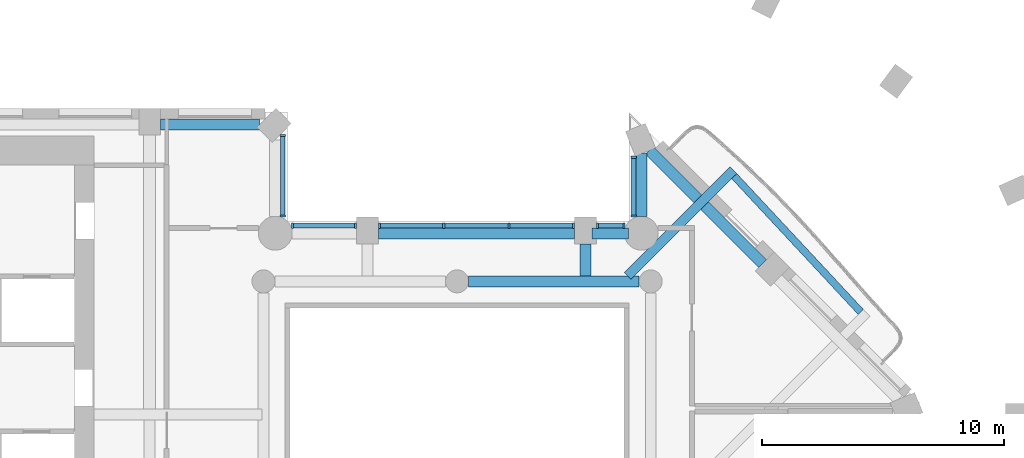
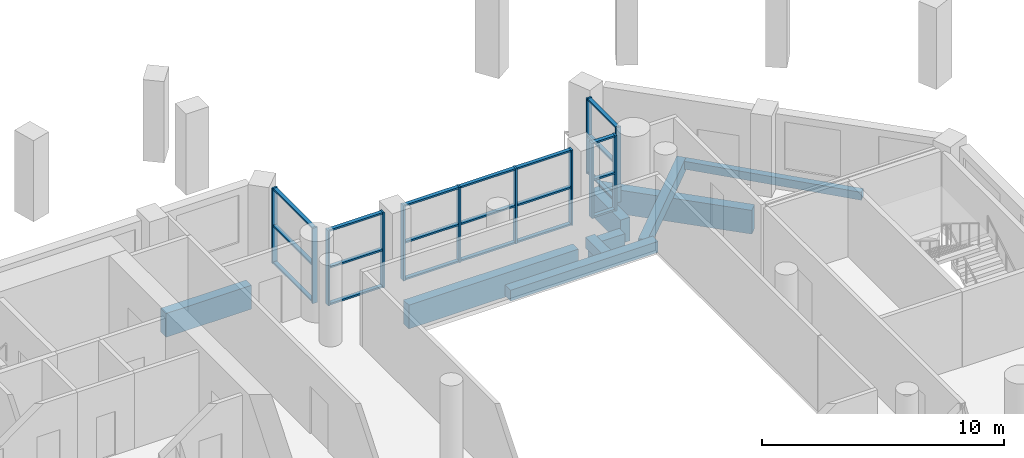
# One storey, part 2 of 13: 33 members, 9 beams, 5 elements without a shape of their own.
"""IFC4 building model written with IfcOpenShell, lengths in metres."""

from ifc_helpers import new_model, si_unit, direction, frame, origin, origin_2d, place, context, subcontext, project, spatial, rectangle, extrude, material, material_profile, profile_set, type_object, element, aggregate, save


model = new_model("IFC4")

# Units and contexts
model_context = context("Model", 3, precision=1e-05, world=origin(), true_north=direction((0.0, 1.0)))
body_context = subcontext(model_context, "Body", "Model", "MODEL_VIEW")
ifc_project = project(units=[si_unit("LENGTHUNIT", "METRE"), si_unit("AREAUNIT", "SQUARE_METRE"), si_unit("VOLUMEUNIT", "CUBIC_METRE"), si_unit("PLANEANGLEUNIT", "RADIAN"), si_unit("MASSUNIT", "GRAM", prefix="KILO")], contexts=[model_context])

# Site, building, storey
site_placement = place(None, origin())
site = spatial("IfcSite", under=ifc_project, at=site_placement, CompositionType="ELEMENT")
building_placement = place(site_placement, origin())
building = spatial("IfcBuilding", under=site, at=building_placement, Name="Cypress Arch Tower", CompositionType="ELEMENT")
storey_placement = place(building_placement, frame((0.0, 0.0, 209.699951171875)))
storey = spatial("IfcBuildingStorey", under=building, at=storey_placement, Name="L46", CompositionType="ELEMENT", Elevation=209.699951171875)

# Beams
ifc_material_1 = material(Name="Concrete C50/60", Category="concrete")
ifc_material_profile_1 = material_profile(ifc_material_1, rectangle(XDim=0.300048828125, YDim=0.39990234375, at=origin_2d()), Name="RC 300x400")
ifc_profile_set_1 = profile_set([ifc_material_profile_1], Name="Concrete C50/60")
beam_type_1 = type_object("IfcBeamType", Name="Balcony edge beam RC 300x400 Concrete C50/60", PredefinedType="BEAM", material=ifc_profile_set_1)
beam_1_placement = place(storey_placement, frame((17.678466796875, 8.737060546875, -0.5), z_axis=(-0.68169731716, 0.731634312876, 0.0), x_axis=(-0.731634312876, -0.68169731716, 0.0)))
element("IfcBeam", 1, at=beam_1_placement, inside=storey, type_object=beam_type_1, Name="Balcony edge beam L46 B05", PredefinedType="BEAM", context=body_context, shape_type="SweptSolid", body=[
    extrude(rectangle(XDim=0.300048828125, YDim=0.39990234375, at=origin_2d()), origin(), (0.0, 0.0, 1.0), 7.666015625),
])
ifc_material_2 = material(Name="Concrete C50/60", Category="concrete")
ifc_material_profile_2 = material_profile(ifc_material_2, rectangle(XDim=0.39990234375, YDim=0.64990234375, at=origin_2d()), Name="RC 400x650")
ifc_profile_set_2 = profile_set([ifc_material_profile_2], Name="Concrete C50/60")
beam_type_2 = type_object("IfcBeamType", Name="Cantilever beam RC 400x650 Concrete C50/60", PredefinedType="BEAM", material=ifc_profile_set_2)
beam_2_placement = place(storey_placement, frame((8.04931640625, 10.22509765625, -0.625), z_axis=(0.707106781187, 0.707106781187, 0.0), x_axis=(-0.707106781187, 0.707106781187, 0.0)))
element("IfcBeam", 2, at=beam_2_placement, inside=storey, type_object=beam_type_2, Name="Cantilever beam L46 B05 2", PredefinedType="BEAM", context=body_context, shape_type="SweptSolid", body=[
    extrude(rectangle(XDim=0.39990234375, YDim=0.64990234375, at=origin_2d()), origin(), (0.0, 0.0, 1.0), 6.17724609375),
])
ifc_material_3 = material(Name="Concrete C50/60", Category="concrete")
ifc_material_profile_3 = material_profile(ifc_material_3, rectangle(XDim=0.449951171875, YDim=0.550048828125, at=origin_2d()), Name="RC 450x550")
ifc_profile_set_3 = profile_set([ifc_material_profile_3], Name="Concrete C50/60")
beam_type_3 = type_object("IfcBeamType", Name="Floor beam RC 450x550 Concrete C50/60", PredefinedType="BEAM", material=ifc_profile_set_3)
beam_3_placement = place(storey_placement, frame((1.47509765625, 10.0, -0.574951171875), z_axis=(1.0, 0.0, 0.0), x_axis=(0.0, 1.0, 0.0)))
element("IfcBeam", 3, at=beam_3_placement, inside=storey, type_object=beam_type_3, Name="Floor beam L46 RB008", PredefinedType="BEAM", context=body_context, shape_type="SweptSolid", body=[
    extrude(rectangle(XDim=0.449951171875, YDim=0.550048828125, at=origin_2d()), origin(), (0.0, 0.0, 1.0), 7.0498046875),
])
beam_4_placement = place(storey_placement, frame((6.300048828125, 10.22509765625, -0.574951171875), z_axis=(0.0, 1.0, 0.0), x_axis=(-1.0, 0.0, 0.0)))
element("IfcBeam", 4, at=beam_4_placement, inside=storey, type_object=beam_type_3, Name="Floor beam L46 FB017", PredefinedType="BEAM", context=body_context, shape_type="SweptSolid", body=[
    extrude(rectangle(XDim=0.449951171875, YDim=0.550048828125, at=origin_2d()), origin(), (0.0, 0.0, 1.0), 1.324951171875),
])

# Curtain wall, members
ifc_material_4 = material(Name="Anodised aluminium, bronze finish, clear laminated double glazing", Category="aluminium")
curtain_wall_type = type_object("IfcCurtainWallType", Name="Curtain wall CW7 slot glazing", PredefinedType="NOTDEFINED", material=ifc_material_4)
curtain_wall_1_placement = place(storey_placement, origin())
curtain_wall_1 = element("IfcCurtainWall", 5, at=curtain_wall_1_placement, inside=storey, type_object=curtain_wall_type, Name="Curtain wall L46 slot B06.0", PredefinedType="NOTDEFINED")
ifc_material_5 = material(Name="Anodised aluminium, bronze finish", Category="aluminium")
ifc_material_profile_4 = material_profile(ifc_material_5, rectangle(XDim=0.239990234375, YDim=0.0849609375, at=origin_2d()), Name="Mullion 85x240")
ifc_profile_set_4 = profile_set([ifc_material_profile_4], Name="Anodised aluminium, bronze finish")
member_type_1 = type_object("IfcMemberType", Name="Mullion CW7 85x240", PredefinedType="MULLION", material=ifc_profile_set_4)
member_1_placement = place(storey_placement, frame((8.300048828125, 15.12744140625, 0.0), z_axis=(0.0, 0.0, 1.0), x_axis=(1.0, 0.0, 0.0)))
member_1 = element("IfcMember", 6, at=member_1_placement, type_object=member_type_1, Name="CW7 mullion 1", PredefinedType="MULLION", context=body_context, shape_type="SweptSolid", body=[
    extrude(rectangle(XDim=0.239990234375, YDim=0.0849609375, at=origin_2d()), origin(), (0.0, 0.0, 1.0), 3.800048828125),
])
member_2_placement = place(storey_placement, frame((8.300048828125, 12.697021484375, 0.0), z_axis=(0.0, 0.0, 1.0), x_axis=(1.0, 0.0, 0.0)))
member_2 = element("IfcMember", 7, at=member_2_placement, type_object=member_type_1, Name="CW7 mullion 2", PredefinedType="MULLION", context=body_context, shape_type="SweptSolid", body=[
    extrude(rectangle(XDim=0.239990234375, YDim=0.0849609375, at=origin_2d()), origin(), (0.0, 0.0, 1.0), 3.800048828125),
])

curtain_wall_2_placement = place(storey_placement, origin())
curtain_wall_2 = element("IfcCurtainWall", 8, at=curtain_wall_2_placement, inside=storey, type_object=curtain_wall_type, Name="Curtain wall L46 slot B07.0", PredefinedType="NOTDEFINED")
member_3_placement = place(storey_placement, frame((7.903076171875, 12.300048828125, 0.0), z_axis=(0.0, 0.0, 1.0), x_axis=(0.0, -1.0, 0.0)))
member_3 = element("IfcMember", 9, at=member_3_placement, type_object=member_type_1, Name="CW7 mullion 1", PredefinedType="MULLION", context=body_context, shape_type="SweptSolid", body=[
    extrude(rectangle(XDim=0.239990234375, YDim=0.0849609375, at=origin_2d()), origin(), (0.0, 0.0, 1.0), 3.800048828125),
])
member_4_placement = place(storey_placement, frame((6.79248046875, 12.300048828125, 0.0), z_axis=(0.0, 0.0, 1.0), x_axis=(0.0, -1.0, 0.0)))
member_4 = element("IfcMember", 10, at=member_4_placement, type_object=member_type_1, Name="CW7 mullion 2", PredefinedType="MULLION", context=body_context, shape_type="SweptSolid", body=[
    extrude(rectangle(XDim=0.239990234375, YDim=0.0849609375, at=origin_2d()), origin(), (0.0, 0.0, 1.0), 3.800048828125),
])

curtain_wall_3_placement = place(storey_placement, origin())
curtain_wall_3 = element("IfcCurtainWall", 11, at=curtain_wall_3_placement, inside=storey, type_object=curtain_wall_type, Name="Curtain wall L46 slot B07.1", PredefinedType="NOTDEFINED")
member_5_placement = place(storey_placement, frame((5.8076171875, 12.300048828125, 0.0), z_axis=(0.0, 0.0, 1.0), x_axis=(0.0, -1.0, 0.0)))
member_5 = element("IfcMember", 12, at=member_5_placement, type_object=member_type_1, Name="CW7 mullion 1", PredefinedType="MULLION", context=body_context, shape_type="SweptSolid", body=[
    extrude(rectangle(XDim=0.239990234375, YDim=0.0849609375, at=origin_2d()), origin(), (0.0, 0.0, 1.0), 3.800048828125),
])
member_6_placement = place(storey_placement, frame((3.14990234375, 12.300048828125, 0.0), z_axis=(0.0, 0.0, 1.0), x_axis=(0.0, -1.0, 0.0)))
member_6 = element("IfcMember", 13, at=member_6_placement, type_object=member_type_1, Name="CW7 mullion 2", PredefinedType="MULLION", context=body_context, shape_type="SweptSolid", body=[
    extrude(rectangle(XDim=0.239990234375, YDim=0.0849609375, at=origin_2d()), origin(), (0.0, 0.0, 1.0), 3.800048828125),
])
member_7_placement = place(storey_placement, frame((0.449951171875, 12.300048828125, 0.0), z_axis=(0.0, 0.0, 1.0), x_axis=(0.0, -1.0, 0.0)))
member_7 = element("IfcMember", 14, at=member_7_placement, type_object=member_type_1, Name="CW7 mullion 3", PredefinedType="MULLION", context=body_context, shape_type="SweptSolid", body=[
    extrude(rectangle(XDim=0.239990234375, YDim=0.0849609375, at=origin_2d()), origin(), (0.0, 0.0, 1.0), 3.800048828125),
])
member_8_placement = place(storey_placement, frame((-2.20751953125, 12.300048828125, 0.0), z_axis=(0.0, 0.0, 1.0), x_axis=(0.0, -1.0, 0.0)))
member_8 = element("IfcMember", 15, at=member_8_placement, type_object=member_type_1, Name="CW7 mullion 4", PredefinedType="MULLION", context=body_context, shape_type="SweptSolid", body=[
    extrude(rectangle(XDim=0.239990234375, YDim=0.0849609375, at=origin_2d()), origin(), (0.0, 0.0, 1.0), 3.800048828125),
])

curtain_wall_4_placement = place(storey_placement, origin())
curtain_wall_4 = element("IfcCurtainWall", 16, at=curtain_wall_4_placement, inside=storey, type_object=curtain_wall_type, Name="Curtain wall L46 slot B07.2", PredefinedType="NOTDEFINED")
member_9_placement = place(storey_placement, frame((-3.1923828125, 12.300048828125, 0.0), z_axis=(0.0, 0.0, 1.0), x_axis=(0.0, -1.0, 0.0)))
member_9 = element("IfcMember", 17, at=member_9_placement, type_object=member_type_1, Name="CW7 mullion 1", PredefinedType="MULLION", context=body_context, shape_type="SweptSolid", body=[
    extrude(rectangle(XDim=0.239990234375, YDim=0.0849609375, at=origin_2d()), origin(), (0.0, 0.0, 1.0), 3.800048828125),
])
member_10_placement = place(storey_placement, frame((-5.802978515625, 12.300048828125, 0.0), z_axis=(0.0, 0.0, 1.0), x_axis=(0.0, -1.0, 0.0)))
member_10 = element("IfcMember", 18, at=member_10_placement, type_object=member_type_1, Name="CW7 mullion 2", PredefinedType="MULLION", context=body_context, shape_type="SweptSolid", body=[
    extrude(rectangle(XDim=0.239990234375, YDim=0.0849609375, at=origin_2d()), origin(), (0.0, 0.0, 1.0), 3.800048828125),
])

curtain_wall_5_placement = place(storey_placement, origin())
curtain_wall_5 = element("IfcCurtainWall", 19, at=curtain_wall_5_placement, inside=storey, type_object=curtain_wall_type, Name="Curtain wall L46 slot B08.0", PredefinedType="NOTDEFINED")
member_11_placement = place(storey_placement, frame((-6.199951171875, 12.697021484375, 0.0), z_axis=(0.0, 0.0, 1.0), x_axis=(-1.0, 0.0, 0.0)))
member_11 = element("IfcMember", 20, at=member_11_placement, type_object=member_type_1, Name="CW7 mullion 1", PredefinedType="MULLION", context=body_context, shape_type="SweptSolid", body=[
    extrude(rectangle(XDim=0.239990234375, YDim=0.0849609375, at=origin_2d()), origin(), (0.0, 0.0, 1.0), 3.800048828125),
])
member_12_placement = place(storey_placement, frame((-6.199951171875, 16.02099609375, 0.0), z_axis=(0.0, 0.0, 1.0), x_axis=(-1.0, 0.0, 0.0)))
member_12 = element("IfcMember", 21, at=member_12_placement, type_object=member_type_1, Name="CW7 mullion 2", PredefinedType="MULLION", context=body_context, shape_type="SweptSolid", body=[
    extrude(rectangle(XDim=0.239990234375, YDim=0.0849609375, at=origin_2d()), origin(), (0.0, 0.0, 1.0), 3.800048828125),
])

# Beams
ifc_material_6 = material(Name="Concrete C50/60", Category="concrete")
ifc_material_profile_5 = material_profile(ifc_material_6, rectangle(XDim=0.449951171875, YDim=1.199951171875, at=origin_2d()), Name="RC 450x1200")
ifc_profile_set_5 = profile_set([ifc_material_profile_5], Name="Concrete C50/60")
beam_type_4 = type_object("IfcBeamType", Name="Spandrel beam RC 450x1200 Concrete C50/60", PredefinedType="SPANDREL", material=ifc_profile_set_5)
beam_5_placement = place(storey_placement, frame((13.622802734375, 10.73486328125, -1.550048828125), z_axis=(-0.707106781187, 0.707106781187, 0.0), x_axis=(-0.707106781187, -0.707106781187, 0.0)))
element("IfcBeam", 22, at=beam_5_placement, inside=storey, type_object=beam_type_4, Name="Spandrel beam L46 BB05-1", PredefinedType="SPANDREL", context=body_context, shape_type="SweptSolid", body=[
    extrude(rectangle(XDim=0.449951171875, YDim=1.199951171875, at=origin_2d()), origin(), (0.0, 0.0, 1.0), 6.610595703125),
])
beam_6_placement = place(storey_placement, frame((8.625, 15.275146484375, -1.550048828125), z_axis=(0.0, -1.0, 0.0), x_axis=(1.0, 0.0, 0.0)))
element("IfcBeam", 23, at=beam_6_placement, inside=storey, type_object=beam_type_4, Name="Spandrel beam L46 BB06-0", PredefinedType="SPANDREL", context=body_context, shape_type="SweptSolid", body=[
    extrude(rectangle(XDim=0.449951171875, YDim=1.199951171875, at=origin_2d()), origin(), (0.0, 0.0, 1.0), 2.587646484375),
])
beam_7_placement = place(storey_placement, frame((8.081298828125, 11.97509765625, -1.550048828125), z_axis=(-1.0, 0.0, 0.0), x_axis=(0.0, -1.0, 0.0)))
element("IfcBeam", 24, at=beam_7_placement, inside=storey, type_object=beam_type_4, Name="Spandrel beam L46 BB07-0", PredefinedType="SPANDREL", context=body_context, shape_type="SweptSolid", body=[
    extrude(rectangle(XDim=0.449951171875, YDim=1.199951171875, at=origin_2d()), origin(), (0.0, 0.0, 1.0), 1.5),
])
beam_8_placement = place(storey_placement, frame((5.85009765625, 11.97509765625, -1.550048828125), z_axis=(-1.0, 0.0, 0.0), x_axis=(0.0, -1.0, 0.0)))
element("IfcBeam", 25, at=beam_8_placement, inside=storey, type_object=beam_type_4, Name="Spandrel beam L46 BB07-1", PredefinedType="SPANDREL", context=body_context, shape_type="SweptSolid", body=[
    extrude(rectangle(XDim=0.449951171875, YDim=1.199951171875, at=origin_2d()), origin(), (0.0, 0.0, 1.0), 8.10009765625),
])
beam_9_placement = place(storey_placement, frame((-7.161376953125, 16.47509765625, -1.550048828125), z_axis=(-1.0, 0.0, 0.0), x_axis=(0.0, -1.0, 0.0)))
element("IfcBeam", 26, at=beam_9_placement, inside=storey, type_object=beam_type_4, Name="Spandrel beam L46 BB09-0", PredefinedType="SPANDREL", context=body_context, shape_type="SweptSolid", body=[
    extrude(rectangle(XDim=0.449951171875, YDim=1.199951171875, at=origin_2d()), origin(), (0.0, 0.0, 1.0), 4.088623046875),
])

# Member
ifc_material_7 = material(Name="Anodised aluminium, bronze finish", Category="aluminium")
ifc_material_profile_6 = material_profile(ifc_material_7, rectangle(XDim=0.179931640625, YDim=0.0849609375, at=origin_2d()), Name="Transom 85x180")
ifc_profile_set_6 = profile_set([ifc_material_profile_6], Name="Anodised aluminium, bronze finish")
member_type_2 = type_object("IfcMemberType", Name="Transom CW7 85x180", PredefinedType="USERDEFINED", material=ifc_profile_set_6)
member_13_placement = place(storey_placement, frame((8.300048828125, 15.0849609375, 0.04248046875), z_axis=(0.0, -1.0, 0.0), x_axis=(1.0, 0.0, 0.0)))
member_13 = element("IfcMember", 27, at=member_13_placement, type_object=member_type_2, Name="CW7 transom 1.1", ObjectType="TRANSOM", PredefinedType="USERDEFINED", context=body_context, shape_type="SweptSolid", body=[
    extrude(rectangle(XDim=0.179931640625, YDim=0.0849609375, at=origin_2d()), origin(), (0.0, 0.0, 1.0), 2.345458984375),
])

member_14_placement = place(storey_placement, frame((8.300048828125, 15.0849609375, 1.900146484375), z_axis=(0.0, -1.0, 0.0), x_axis=(1.0, 0.0, 0.0)))
member_14 = element("IfcMember", 28, at=member_14_placement, type_object=member_type_2, Name="CW7 transom 1.2", ObjectType="TRANSOM", PredefinedType="USERDEFINED", context=body_context, shape_type="SweptSolid", body=[
    extrude(rectangle(XDim=0.179931640625, YDim=0.0849609375, at=origin_2d()), origin(), (0.0, 0.0, 1.0), 2.345458984375),
])

member_15_placement = place(storey_placement, frame((8.300048828125, 15.0849609375, 3.757568359375), z_axis=(0.0, -1.0, 0.0), x_axis=(1.0, 0.0, 0.0)))
member_15 = element("IfcMember", 29, at=member_15_placement, type_object=member_type_2, Name="CW7 transom 1.3", ObjectType="TRANSOM", PredefinedType="USERDEFINED", context=body_context, shape_type="SweptSolid", body=[
    extrude(rectangle(XDim=0.179931640625, YDim=0.0849609375, at=origin_2d()), origin(), (0.0, 0.0, 1.0), 2.345458984375),
])

aggregate(curtain_wall_1, [member_1, member_2, member_13, member_14, member_15])

member_16_placement = place(storey_placement, frame((7.8603515625, 12.300048828125, 0.04248046875), z_axis=(-1.0, 0.0, 0.0), x_axis=(0.0, -1.0, 0.0)))
member_16 = element("IfcMember", 30, at=member_16_placement, type_object=member_type_2, Name="CW7 transom 1.1", ObjectType="TRANSOM", PredefinedType="USERDEFINED", context=body_context, shape_type="SweptSolid", body=[
    extrude(rectangle(XDim=0.179931640625, YDim=0.0849609375, at=origin_2d()), origin(), (0.0, 0.0, 1.0), 1.025390625),
])

member_17_placement = place(storey_placement, frame((7.8603515625, 12.300048828125, 1.900146484375), z_axis=(-1.0, 0.0, 0.0), x_axis=(0.0, -1.0, 0.0)))
member_17 = element("IfcMember", 31, at=member_17_placement, type_object=member_type_2, Name="CW7 transom 1.2", ObjectType="TRANSOM", PredefinedType="USERDEFINED", context=body_context, shape_type="SweptSolid", body=[
    extrude(rectangle(XDim=0.179931640625, YDim=0.0849609375, at=origin_2d()), origin(), (0.0, 0.0, 1.0), 1.025390625),
])

member_18_placement = place(storey_placement, frame((7.8603515625, 12.300048828125, 3.757568359375), z_axis=(-1.0, 0.0, 0.0), x_axis=(0.0, -1.0, 0.0)))
member_18 = element("IfcMember", 32, at=member_18_placement, type_object=member_type_2, Name="CW7 transom 1.3", ObjectType="TRANSOM", PredefinedType="USERDEFINED", context=body_context, shape_type="SweptSolid", body=[
    extrude(rectangle(XDim=0.179931640625, YDim=0.0849609375, at=origin_2d()), origin(), (0.0, 0.0, 1.0), 1.025390625),
])

aggregate(curtain_wall_2, [member_3, member_4, member_16, member_17, member_18])

member_19_placement = place(storey_placement, frame((5.764892578125, 12.300048828125, 0.04248046875), z_axis=(-1.0, 0.0, 0.0), x_axis=(0.0, -1.0, 0.0)))
member_19 = element("IfcMember", 33, at=member_19_placement, type_object=member_type_2, Name="CW7 transom 1.1", ObjectType="TRANSOM", PredefinedType="USERDEFINED", context=body_context, shape_type="SweptSolid", body=[
    extrude(rectangle(XDim=0.179931640625, YDim=0.0849609375, at=origin_2d()), origin(), (0.0, 0.0, 1.0), 2.572509765625),
])

member_20_placement = place(storey_placement, frame((5.764892578125, 12.300048828125, 1.900146484375), z_axis=(-1.0, 0.0, 0.0), x_axis=(0.0, -1.0, 0.0)))
member_20 = element("IfcMember", 34, at=member_20_placement, type_object=member_type_2, Name="CW7 transom 1.2", ObjectType="TRANSOM", PredefinedType="USERDEFINED", context=body_context, shape_type="SweptSolid", body=[
    extrude(rectangle(XDim=0.179931640625, YDim=0.0849609375, at=origin_2d()), origin(), (0.0, 0.0, 1.0), 2.572509765625),
])

member_21_placement = place(storey_placement, frame((5.764892578125, 12.300048828125, 3.757568359375), z_axis=(-1.0, 0.0, 0.0), x_axis=(0.0, -1.0, 0.0)))
member_21 = element("IfcMember", 35, at=member_21_placement, type_object=member_type_2, Name="CW7 transom 1.3", ObjectType="TRANSOM", PredefinedType="USERDEFINED", context=body_context, shape_type="SweptSolid", body=[
    extrude(rectangle(XDim=0.179931640625, YDim=0.0849609375, at=origin_2d()), origin(), (0.0, 0.0, 1.0), 2.572509765625),
])

member_22_placement = place(storey_placement, frame((3.107421875, 12.300048828125, 0.04248046875), z_axis=(-1.0, 0.0, 0.0), x_axis=(0.0, -1.0, 0.0)))
member_22 = element("IfcMember", 36, at=member_22_placement, type_object=member_type_2, Name="CW7 transom 2.1", ObjectType="TRANSOM", PredefinedType="USERDEFINED", context=body_context, shape_type="SweptSolid", body=[
    extrude(rectangle(XDim=0.179931640625, YDim=0.0849609375, at=origin_2d()), origin(), (0.0, 0.0, 1.0), 2.614990234375),
])

member_23_placement = place(storey_placement, frame((3.107421875, 12.300048828125, 1.900146484375), z_axis=(-1.0, 0.0, 0.0), x_axis=(0.0, -1.0, 0.0)))
member_23 = element("IfcMember", 37, at=member_23_placement, type_object=member_type_2, Name="CW7 transom 2.2", ObjectType="TRANSOM", PredefinedType="USERDEFINED", context=body_context, shape_type="SweptSolid", body=[
    extrude(rectangle(XDim=0.179931640625, YDim=0.0849609375, at=origin_2d()), origin(), (0.0, 0.0, 1.0), 2.614990234375),
])

member_24_placement = place(storey_placement, frame((3.107421875, 12.300048828125, 3.757568359375), z_axis=(-1.0, 0.0, 0.0), x_axis=(0.0, -1.0, 0.0)))
member_24 = element("IfcMember", 38, at=member_24_placement, type_object=member_type_2, Name="CW7 transom 2.3", ObjectType="TRANSOM", PredefinedType="USERDEFINED", context=body_context, shape_type="SweptSolid", body=[
    extrude(rectangle(XDim=0.179931640625, YDim=0.0849609375, at=origin_2d()), origin(), (0.0, 0.0, 1.0), 2.614990234375),
])

member_25_placement = place(storey_placement, frame((0.407470703125, 12.300048828125, 0.04248046875), z_axis=(-1.0, 0.0, 0.0), x_axis=(0.0, -1.0, 0.0)))
member_25 = element("IfcMember", 39, at=member_25_placement, type_object=member_type_2, Name="CW7 transom 3.1", ObjectType="TRANSOM", PredefinedType="USERDEFINED", context=body_context, shape_type="SweptSolid", body=[
    extrude(rectangle(XDim=0.179931640625, YDim=0.0849609375, at=origin_2d()), origin(), (0.0, 0.0, 1.0), 2.572509765625),
])

member_26_placement = place(storey_placement, frame((0.407470703125, 12.300048828125, 1.900146484375), z_axis=(-1.0, 0.0, 0.0), x_axis=(0.0, -1.0, 0.0)))
member_26 = element("IfcMember", 40, at=member_26_placement, type_object=member_type_2, Name="CW7 transom 3.2", ObjectType="TRANSOM", PredefinedType="USERDEFINED", context=body_context, shape_type="SweptSolid", body=[
    extrude(rectangle(XDim=0.179931640625, YDim=0.0849609375, at=origin_2d()), origin(), (0.0, 0.0, 1.0), 2.572509765625),
])

member_27_placement = place(storey_placement, frame((0.407470703125, 12.300048828125, 3.757568359375), z_axis=(-1.0, 0.0, 0.0), x_axis=(0.0, -1.0, 0.0)))
member_27 = element("IfcMember", 41, at=member_27_placement, type_object=member_type_2, Name="CW7 transom 3.3", ObjectType="TRANSOM", PredefinedType="USERDEFINED", context=body_context, shape_type="SweptSolid", body=[
    extrude(rectangle(XDim=0.179931640625, YDim=0.0849609375, at=origin_2d()), origin(), (0.0, 0.0, 1.0), 2.572509765625),
])

aggregate(curtain_wall_3, [member_5, member_6, member_7, member_8, member_19, member_20, member_21, member_22, member_23, member_24, member_25, member_26, member_27])

member_28_placement = place(storey_placement, frame((-3.235107421875, 12.300048828125, 0.04248046875), z_axis=(-1.0, 0.0, 0.0), x_axis=(0.0, -1.0, 0.0)))
member_28 = element("IfcMember", 42, at=member_28_placement, type_object=member_type_2, Name="CW7 transom 1.1", ObjectType="TRANSOM", PredefinedType="USERDEFINED", context=body_context, shape_type="SweptSolid", body=[
    extrude(rectangle(XDim=0.179931640625, YDim=0.0849609375, at=origin_2d()), origin(), (0.0, 0.0, 1.0), 2.525390625),
])

member_29_placement = place(storey_placement, frame((-3.235107421875, 12.300048828125, 1.900146484375), z_axis=(-1.0, 0.0, 0.0), x_axis=(0.0, -1.0, 0.0)))
member_29 = element("IfcMember", 43, at=member_29_placement, type_object=member_type_2, Name="CW7 transom 1.2", ObjectType="TRANSOM", PredefinedType="USERDEFINED", context=body_context, shape_type="SweptSolid", body=[
    extrude(rectangle(XDim=0.179931640625, YDim=0.0849609375, at=origin_2d()), origin(), (0.0, 0.0, 1.0), 2.525390625),
])

member_30_placement = place(storey_placement, frame((-3.235107421875, 12.300048828125, 3.757568359375), z_axis=(-1.0, 0.0, 0.0), x_axis=(0.0, -1.0, 0.0)))
member_30 = element("IfcMember", 44, at=member_30_placement, type_object=member_type_2, Name="CW7 transom 1.3", ObjectType="TRANSOM", PredefinedType="USERDEFINED", context=body_context, shape_type="SweptSolid", body=[
    extrude(rectangle(XDim=0.179931640625, YDim=0.0849609375, at=origin_2d()), origin(), (0.0, 0.0, 1.0), 2.525390625),
])

aggregate(curtain_wall_4, [member_9, member_10, member_28, member_29, member_30])

member_31_placement = place(storey_placement, frame((-6.199951171875, 12.739501953125, 0.04248046875), z_axis=(0.0, 1.0, 0.0), x_axis=(-1.0, 0.0, 0.0)))
member_31 = element("IfcMember", 45, at=member_31_placement, type_object=member_type_2, Name="CW7 transom 1.1", ObjectType="TRANSOM", PredefinedType="USERDEFINED", context=body_context, shape_type="SweptSolid", body=[
    extrude(rectangle(XDim=0.179931640625, YDim=0.0849609375, at=origin_2d()), origin(), (0.0, 0.0, 1.0), 3.239013671875),
])

member_32_placement = place(storey_placement, frame((-6.199951171875, 12.739501953125, 1.900146484375), z_axis=(0.0, 1.0, 0.0), x_axis=(-1.0, 0.0, 0.0)))
member_32 = element("IfcMember", 46, at=member_32_placement, type_object=member_type_2, Name="CW7 transom 1.2", ObjectType="TRANSOM", PredefinedType="USERDEFINED", context=body_context, shape_type="SweptSolid", body=[
    extrude(rectangle(XDim=0.179931640625, YDim=0.0849609375, at=origin_2d()), origin(), (0.0, 0.0, 1.0), 3.239013671875),
])

member_33_placement = place(storey_placement, frame((-6.199951171875, 12.739501953125, 3.757568359375), z_axis=(0.0, 1.0, 0.0), x_axis=(-1.0, 0.0, 0.0)))
member_33 = element("IfcMember", 47, at=member_33_placement, type_object=member_type_2, Name="CW7 transom 1.3", ObjectType="TRANSOM", PredefinedType="USERDEFINED", context=body_context, shape_type="SweptSolid", body=[
    extrude(rectangle(XDim=0.179931640625, YDim=0.0849609375, at=origin_2d()), origin(), (0.0, 0.0, 1.0), 3.239013671875),
])

aggregate(curtain_wall_5, [member_11, member_12, member_31, member_32, member_33])

save(model, "model.ifc")
